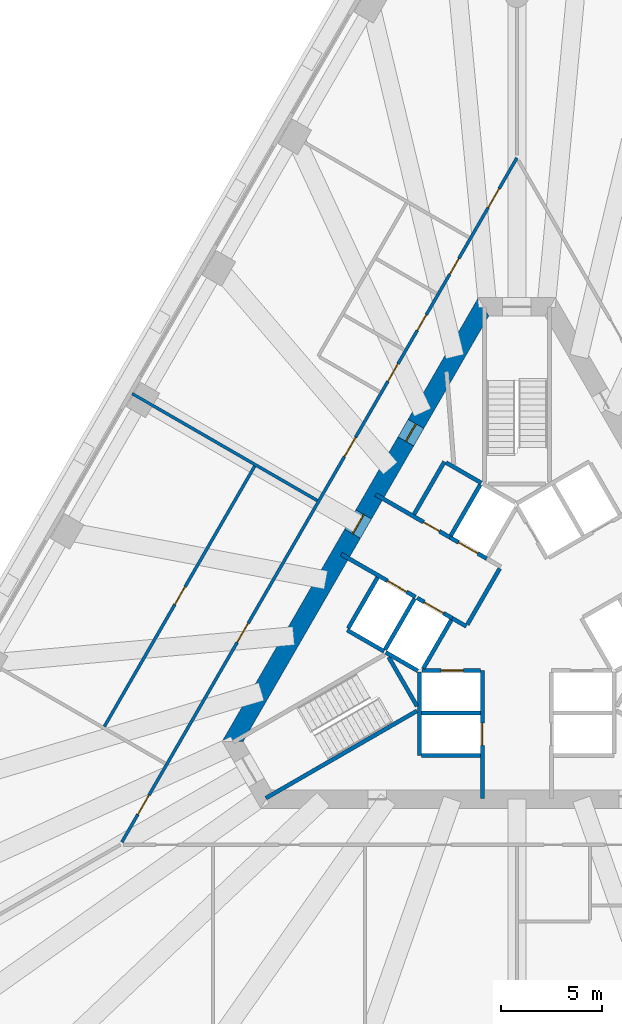
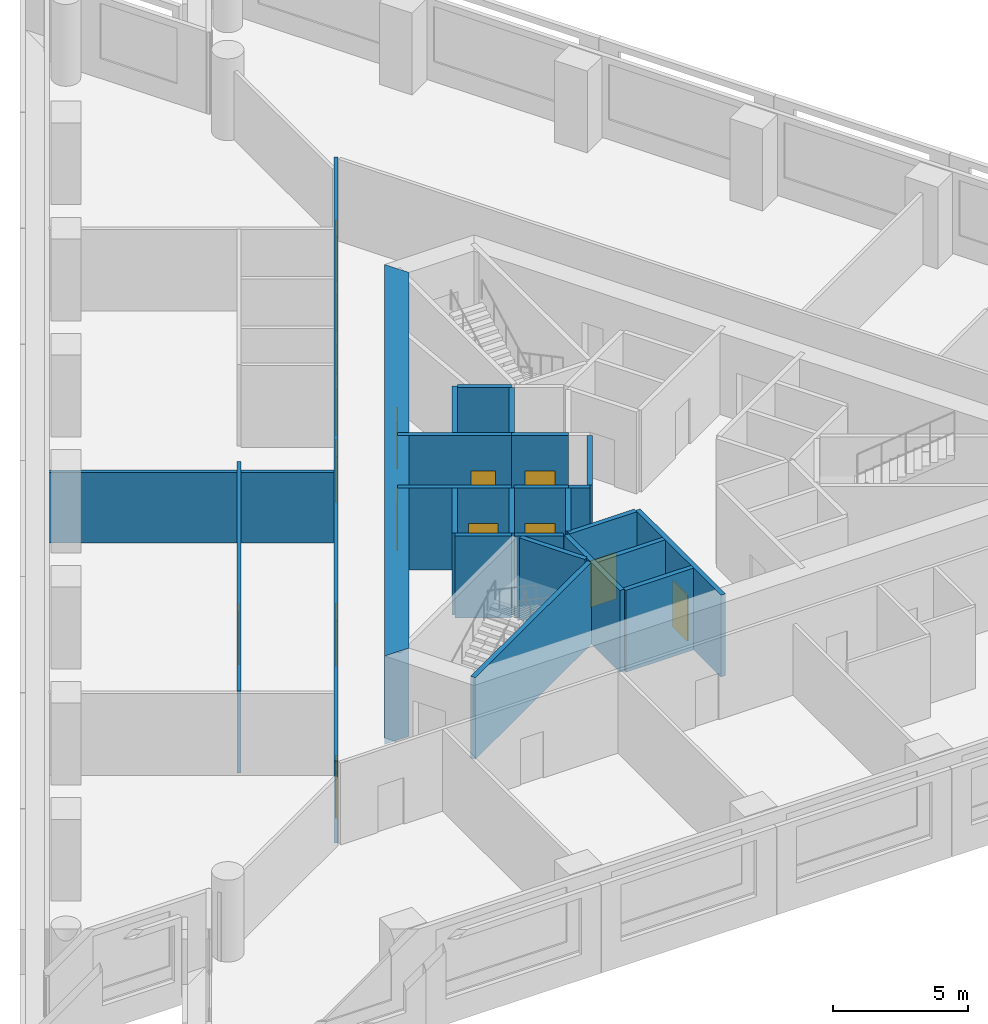
# One storey, part 3 of 9: 25 walls, 16 doors, 16 openings.
"""IFC4 building model written with IfcOpenShell, lengths in metres."""

from ifc_helpers import new_model, si_unit, direction, frame, frame_2d, origin, place, context, subcontext, project, spatial, polyline, rectangle, outline, extrude, material, layer, layer_set, type_object, element, fill, save


model = new_model("IFC4")

# Units and contexts
model_context = context("Model", 3, precision=1e-05, world=origin(), true_north=direction((0.0, 1.0)))
body_context = subcontext(model_context, "Body", "Model", "MODEL_VIEW")
ifc_project = project(units=[si_unit("LENGTHUNIT", "METRE"), si_unit("AREAUNIT", "SQUARE_METRE"), si_unit("VOLUMEUNIT", "CUBIC_METRE"), si_unit("PLANEANGLEUNIT", "RADIAN"), si_unit("MASSUNIT", "GRAM", prefix="KILO")], contexts=[model_context])

# Site, building, storey
site_placement = place(None, origin())
site = spatial("IfcSite", under=ifc_project, at=site_placement, CompositionType="ELEMENT")
building_placement = place(site_placement, origin())
building = spatial("IfcBuilding", under=site, at=building_placement, Name="Triada Interchange Tower", CompositionType="ELEMENT")
storey_placement = place(building_placement, frame((0.0, 0.0, 47.300048828125)))
storey = spatial("IfcBuildingStorey", under=building, at=storey_placement, Name="L09", CompositionType="ELEMENT", Elevation=47.300048828125)

# Walls
ifc_material_1 = material(Name="Concrete C30/37", Category="concrete")
ifc_layer_1 = layer(ifc_material_1, 0.199951171875)
ifc_layer_set_1 = layer_set([ifc_layer_1], Name="CORE WALL 200 EI 120")
wall_type_1 = type_object("IfcWallType", Name="CORE WALL 200 EI 120", PredefinedType="SOLIDWALL", material=ifc_layer_set_1)
wall_1_placement = place(storey_placement, frame((-8.3759765625, -0.70703125, 0.0), z_axis=(0.0, 0.0, 1.0), x_axis=(0.866067520717, -0.499927044236, 0.0)))
element("IfcWall", 1, at=wall_1_placement, inside=storey, type_object=wall_type_1, Name="Wall L09 37", PredefinedType="SOLIDWALL", context=body_context, shape_type="SweptSolid", body=[
    extrude(rectangle(XDim=2.100341796875, YDim=0.199951171875, at=frame_2d((1.05029296875, 0.0))), origin(), (0.0, 0.0, 1.0), 3.699951171875),
])
wall_2_placement = place(storey_placement, frame((-8.325927734375, -0.6201171875, 0.0), z_axis=(0.0, 0.0, 1.0), x_axis=(0.500023687443, 0.866011727401, 0.0)))
element("IfcWall", 2, at=wall_2_placement, inside=storey, type_object=wall_type_1, Name="Wall L09 38", PredefinedType="SOLIDWALL", context=body_context, shape_type="SweptSolid", body=[
    extrude(rectangle(XDim=2.899658203125, YDim=0.199951171875, at=frame_2d((1.44970703125, 0.0))), origin(), (0.0, 0.0, 1.0), 3.699951171875),
])
wall_3_placement = place(storey_placement, frame((-4.699951171875, -4.800048828125, 0.0), z_axis=(0.0, 0.0, 1.0), x_axis=(1.0, 0.0, 0.0)))
element("IfcWall", 3, at=wall_3_placement, inside=storey, type_object=wall_type_1, Name="Wall L09 39", PredefinedType="SOLIDWALL", context=body_context, shape_type="SweptSolid", body=[
    extrude(rectangle(XDim=2.89990234375, YDim=0.199951171875, at=frame_2d((1.449951171875, 0.0))), origin(), (0.0, 0.0, 1.0), 3.699951171875),
])
wall_4_placement = place(storey_placement, frame((-4.800048828125, -6.89990234375, 0.0), z_axis=(0.0, 0.0, 1.0), x_axis=(0.0, 1.0, 0.0)))
element("IfcWall", 4, at=wall_4_placement, inside=storey, type_object=wall_type_1, Name="Wall L09 41", PredefinedType="SOLIDWALL", context=body_context, shape_type="SweptSolid", body=[
    extrude(rectangle(XDim=4.130859375, YDim=0.199951171875, at=frame_2d((2.0654296875, 0.0))), origin(), (0.0, 0.0, 1.0), 3.699951171875),
])
wall_5_placement = place(storey_placement, frame((-4.699951171875, -6.89990234375, 0.0), z_axis=(0.0, 0.0, 1.0), x_axis=(1.0, 0.0, 0.0)))
element("IfcWall", 5, at=wall_5_placement, inside=storey, type_object=wall_type_1, Name="Wall L09 42", PredefinedType="SOLIDWALL", context=body_context, shape_type="SweptSolid", body=[
    extrude(rectangle(XDim=2.89990234375, YDim=0.199951171875, at=frame_2d((1.449951171875, 0.0))), origin(), (0.0, 0.0, 1.0), 3.699951171875),
])

# Wall, opening, door
wall_6_placement = place(storey_placement, frame((-1.699951171875, -9.030029296875, 0.0), z_axis=(0.0, 0.0, 1.0), x_axis=(0.0, 1.0, 0.0)))
wall_6 = element("IfcWall", 6, at=wall_6_placement, inside=storey, type_object=wall_type_1, Name="Wall L09 44", PredefinedType="SOLIDWALL", context=body_context, shape_type="SweptSolid", body=[
    extrude(rectangle(XDim=6.3271484375, YDim=0.199951171875, at=frame_2d((3.16357421875, 0.0))), origin(), (0.0, 0.0, 1.0), 3.699951171875),
])
opening_1_placement = place(wall_6_placement, frame((2.6298828125, 0.0, 0.0)))
opening_1 = element("IfcOpeningElement", 7, at=opening_1_placement, cuts=wall_6, Name="Opening LD-LR4", PredefinedType="OPENING", context=body_context, shape_type="SweptSolid", body=[
    extrude(rectangle(XDim=1.10009765625, YDim=2.10009765625, at=frame_2d((0.550048828125, 1.050048828125))), frame((0.0, 0.10986328125, 0.0), z_axis=(0.0, -1.0, 0.0), x_axis=(1.0, 0.0, 0.0)), (0.0, 0.0, 1.0), 0.219970703125),
])
ifc_material_2 = material(Name="Steel S235 door leaf", Category="steel")
door_type_1 = type_object("IfcDoorType", Name="LIFT LANDING DOOR 1100 EI 120", OperationType="SLIDING_TO_LEFT", PredefinedType="DOOR", material=ifc_material_2)
door_1_placement = place(opening_1_placement, origin())
door_1 = element("IfcDoor", 8, at=door_1_placement, inside=storey, type_object=door_type_1, Name="LR4 landing door L09", OperationType="SLIDING_TO_LEFT", OverallHeight=2.10009765625, OverallWidth=1.10009765625, PredefinedType="DOOR", context=body_context, shape_type="SweptSolid", body=[
    extrude(rectangle(XDim=1.10009765625, YDim=2.10009765625, at=frame_2d((0.550048828125, 1.050048828125))), frame((0.0, 0.02490234375, 0.0), z_axis=(0.0, -1.0, 0.0), x_axis=(1.0, 0.0, 0.0)), (0.0, 0.0, 1.0), 0.050048828125),
])
fill(opening_1, door_1)

wall_7_placement = place(storey_placement, frame((-4.676025390625, -2.699951171875, 0.0), z_axis=(0.0, 0.0, 1.0), x_axis=(1.0, 0.0, 0.0)))
wall_7 = element("IfcWall", 9, at=wall_7_placement, inside=storey, type_object=wall_type_1, Name="Wall L09 45", PredefinedType="SOLIDWALL", context=body_context, shape_type="SweptSolid", body=[
    extrude(rectangle(XDim=2.873046875, YDim=0.199951171875, at=frame_2d((1.4365234375, 0.0))), origin(), (0.0, 0.0, 1.0), 3.699951171875),
])
opening_2_placement = place(wall_7_placement, frame((0.93701171875, 0.0, 0.0)))
opening_2 = element("IfcOpeningElement", 10, at=opening_2_placement, cuts=wall_7, Name="Opening LD-LR3", PredefinedType="OPENING", context=body_context, shape_type="SweptSolid", body=[
    extrude(rectangle(XDim=1.10009765625, YDim=2.10009765625, at=frame_2d((0.550048828125, 1.050048828125))), frame((0.0, 0.10986328125, 0.0), z_axis=(0.0, -1.0, 0.0), x_axis=(1.0, 0.0, 0.0)), (0.0, 0.0, 1.0), 0.219970703125),
])
door_2_placement = place(opening_2_placement, origin())
door_2 = element("IfcDoor", 11, at=door_2_placement, inside=storey, type_object=door_type_1, Name="LR3 landing door L09", OperationType="SLIDING_TO_LEFT", OverallHeight=2.10009765625, OverallWidth=1.10009765625, PredefinedType="DOOR", context=body_context, shape_type="SweptSolid", body=[
    extrude(rectangle(XDim=1.10009765625, YDim=2.10009765625, at=frame_2d((0.550048828125, 1.050048828125))), frame((0.0, 0.02490234375, 0.0), z_axis=(0.0, -1.0, 0.0), x_axis=(1.0, 0.0, 0.0)), (0.0, 0.0, 1.0), 0.050048828125),
])
fill(opening_2, door_2)

ifc_layer_2 = layer(ifc_material_1, 0.199951171875)
ifc_layer_set_2 = layer_set([ifc_layer_2], Name="CORE WALL 200 EI 180")
wall_type_2 = type_object("IfcWallType", Name="CORE WALL 200 EI 180", PredefinedType="SOLIDWALL", material=ifc_layer_set_2)
wall_8_placement = place(storey_placement, frame((-8.669921875, 3.04296875, 0.0), z_axis=(0.0, 0.0, 1.0), x_axis=(0.866029956157, -0.499992114976, 0.0)))
wall_8 = element("IfcWall", 12, at=wall_8_placement, inside=storey, type_object=wall_type_2, Name="Wall L09 59", PredefinedType="SOLIDWALL", context=body_context, shape_type="SweptSolid", body=[
    extrude(rectangle(XDim=4.23193359375, YDim=0.199951171875, at=frame_2d((2.115966796875, 0.0))), origin(), (0.0, 0.0, 1.0), 3.699951171875),
])
opening_3_placement = place(wall_8_placement, frame((2.6298828125, 0.0, 0.0)))
opening_3 = element("IfcOpeningElement", 13, at=opening_3_placement, cuts=wall_8, Name="Opening LD-SV1", PredefinedType="OPENING", context=body_context, shape_type="SweptSolid", body=[
    extrude(rectangle(XDim=1.10009765625, YDim=2.10009765625, at=frame_2d((0.550048828125, 1.050048828125))), frame((0.0, 0.10986328125, 0.0), z_axis=(0.0, -1.0, 0.0), x_axis=(1.0, 0.0, 0.0)), (0.0, 0.0, 1.0), 0.219970703125),
])
door_3_placement = place(opening_3_placement, origin())
door_3 = element("IfcDoor", 14, at=door_3_placement, inside=storey, type_object=door_type_1, Name="SV1 landing door L09", OperationType="SLIDING_TO_LEFT", OverallHeight=2.10009765625, OverallWidth=1.10009765625, PredefinedType="DOOR", context=body_context, shape_type="SweptSolid", body=[
    extrude(rectangle(XDim=1.10009765625, YDim=2.10009765625, at=frame_2d((0.550048828125, 1.050048828125))), frame((0.0, 0.02490234375, 0.0), z_axis=(0.0, -1.0, 0.0), x_axis=(1.0, 0.0, 0.0)), (0.0, 0.0, 1.0), 0.050048828125),
])
fill(opening_3, door_3)

# Wall
wall_9_placement = place(storey_placement, frame((-3.18798828125, -0.1220703125, 0.0), z_axis=(0.0, 0.0, 1.0), x_axis=(0.865705793592, -0.50055317294, 0.0)))
element("IfcWall", 15, at=wall_9_placement, inside=storey, type_object=wall_type_2, Name="Wall L09 60", PredefinedType="SOLIDWALL", context=body_context, shape_type="SweptSolid", body=[
    extrude(rectangle(XDim=0.796875, YDim=0.199951171875, at=frame_2d((0.3984375, 0.0))), origin(), (0.0, 0.0, 1.0), 3.699951171875),
])

# Wall, opening, door
wall_10_placement = place(storey_placement, frame((-6.969970703125, 5.987060546875, 0.0), z_axis=(0.0, 0.0, 1.0), x_axis=(0.866029956157, -0.499992114976, 0.0)))
wall_10 = element("IfcWall", 16, at=wall_10_placement, inside=storey, type_object=wall_type_2, Name="Wall L09 61", PredefinedType="SOLIDWALL", context=body_context, shape_type="SweptSolid", body=[
    extrude(rectangle(XDim=4.23193359375, YDim=0.199951171875, at=frame_2d((2.115966796875, 0.0))), origin(), (0.0, 0.0, 1.0), 3.699951171875),
])
opening_4_placement = place(wall_10_placement, frame((2.72998046875, 0.0, 0.0)))
opening_4 = element("IfcOpeningElement", 17, at=opening_4_placement, cuts=wall_10, Name="Opening D09-10", PredefinedType="OPENING", context=body_context, shape_type="SweptSolid", body=[
    extrude(rectangle(XDim=0.89990234375, YDim=2.10009765625, at=frame_2d((0.449951171875, 1.050048828125))), frame((0.0, 0.10986328125, 0.0), z_axis=(0.0, -1.0, 0.0), x_axis=(1.0, 0.0, 0.0)), (0.0, 0.0, 1.0), 0.219970703125),
])
door_type_2 = type_object("IfcDoorType", Name="SERVICE DOOR 900 EI2 90-C5S200", OperationType="NOTDEFINED", PredefinedType="DOOR", material=ifc_material_2)
door_4_placement = place(opening_4_placement, origin())
door_4 = element("IfcDoor", 18, at=door_4_placement, inside=storey, type_object=door_type_2, Name="Door D09-10 L09", OperationType="SINGLE_SWING_LEFT", OverallHeight=2.10009765625, OverallWidth=0.89990234375, PredefinedType="DOOR", context=body_context, shape_type="SweptSolid", body=[
    extrude(rectangle(XDim=0.89990234375, YDim=2.10009765625, at=frame_2d((0.449951171875, 1.050048828125))), frame((0.0, 0.02490234375, 0.0), z_axis=(0.0, -1.0, 0.0), x_axis=(1.0, 0.0, 0.0)), (0.0, 0.0, 1.0), 0.050048828125),
])
fill(opening_4, door_4)

# Walls
wall_11_placement = place(storey_placement, frame((-5.075927734375, 5.009033203125, 0.0), z_axis=(0.0, 0.0, 1.0), x_axis=(0.50002537861, 0.866010750942, 0.0)))
element("IfcWall", 19, at=wall_11_placement, inside=storey, type_object=wall_type_2, Name="Wall L09 63", PredefinedType="SOLIDWALL", context=body_context, shape_type="SweptSolid", body=[
    extrude(rectangle(XDim=2.999755859375, YDim=0.199951171875, at=frame_2d((1.5, 0.0))), origin(), (0.0, 0.0, 1.0), 3.699951171875),
])
wall_12_placement = place(storey_placement, frame((-3.489013671875, 7.556884765625, 0.0), z_axis=(0.0, 0.0, 1.0), x_axis=(0.866010750942, -0.50002537861, 0.0)))
element("IfcWall", 20, at=wall_12_placement, inside=storey, type_object=wall_type_2, Name="Wall L09 64", PredefinedType="SOLIDWALL", context=body_context, shape_type="SweptSolid", body=[
    extrude(rectangle(XDim=2.0, YDim=0.199951171875, at=frame_2d((1.0, 0.0))), origin(), (0.0, 0.0, 1.0), 3.699951171875),
])
wall_13_placement = place(storey_placement, frame((-2.444091796875, -0.43310546875, 0.0), z_axis=(0.0, 0.0, 1.0), x_axis=(0.500035624827, 0.866004834804, 0.0)))
element("IfcWall", 21, at=wall_13_placement, inside=storey, type_object=wall_type_2, Name="Wall L09 65", PredefinedType="SOLIDWALL", context=body_context, shape_type="SweptSolid", body=[
    extrude(rectangle(XDim=3.194091796875, YDim=0.199951171875, at=frame_2d((1.59716796875, 0.0))), origin(), (0.0, 0.0, 1.0), 3.699951171875),
])
wall_14_placement = place(storey_placement, frame((-6.507080078125, -1.669921875, 0.0), z_axis=(0.0, 0.0, 1.0), x_axis=(0.50012328804, 0.865954211699, 0.0)))
element("IfcWall", 22, at=wall_14_placement, inside=storey, type_object=wall_type_2, Name="Shaft wall FF1 L09 66", PredefinedType="SOLIDWALL", context=body_context, shape_type="SweptSolid", body=[
    extrude(rectangle(XDim=2.899658203125, YDim=0.199951171875, at=frame_2d((1.44970703125, 0.0))), origin(), (0.0, 0.0, 1.0), 3.699951171875),
])
wall_15_placement = place(storey_placement, frame((-6.469970703125, -1.806884765625, 0.0), z_axis=(0.0, 0.0, 1.0), x_axis=(0.865883195159, -0.500246231712, 0.0)))
element("IfcWall", 23, at=wall_15_placement, inside=storey, type_object=wall_type_2, Name="Shaft wall FF1 L09 67", PredefinedType="SOLIDWALL", context=body_context, shape_type="SweptSolid", body=[
    extrude(rectangle(XDim=1.8154296875, YDim=0.199951171875, at=frame_2d((0.90771484375, 0.0))), origin(), (0.0, 0.0, 1.0), 3.699951171875),
])

# Wall, opening, door
wall_16_placement = place(storey_placement, frame((-4.922119140625, 0.87890625, 0.0), z_axis=(0.0, 0.0, 1.0), x_axis=(0.866073918653, -0.499915960366, 0.0)))
wall_16 = element("IfcWall", 24, at=wall_16_placement, inside=storey, type_object=wall_type_2, Name="Shaft wall FF1 L09 68", PredefinedType="SOLIDWALL", context=body_context, shape_type="SweptSolid", body=[
    extrude(rectangle(XDim=2.002197265625, YDim=0.199951171875, at=frame_2d((1.0009765625, 0.0))), origin(), (0.0, 0.0, 1.0), 3.699951171875),
])
opening_5_placement = place(wall_16_placement, frame((0.402099609375, 0.0, 0.0)))
opening_5 = element("IfcOpeningElement", 25, at=opening_5_placement, cuts=wall_16, Name="Opening LD-FF1", PredefinedType="OPENING", context=body_context, shape_type="SweptSolid", body=[
    extrude(rectangle(XDim=1.10009765625, YDim=2.10009765625, at=frame_2d((0.550048828125, 1.050048828125))), frame((0.0, 0.10986328125, 0.0), z_axis=(0.0, -1.0, 0.0), x_axis=(1.0, 0.0, 0.0)), (0.0, 0.0, 1.0), 0.219970703125),
])
door_5_placement = place(opening_5_placement, origin())
door_5 = element("IfcDoor", 26, at=door_5_placement, inside=storey, type_object=door_type_1, Name="FF1 landing door L09", OperationType="SLIDING_TO_LEFT", OverallHeight=2.10009765625, OverallWidth=1.10009765625, PredefinedType="DOOR", context=body_context, shape_type="SweptSolid", body=[
    extrude(rectangle(XDim=1.10009765625, YDim=2.10009765625, at=frame_2d((0.550048828125, 1.050048828125))), frame((0.0, 0.02490234375, 0.0), z_axis=(0.0, -1.0, 0.0), x_axis=(1.0, 0.0, 0.0)), (0.0, 0.0, 1.0), 0.050048828125),
])
fill(opening_5, door_5)

# Wall
wall_17_placement = place(storey_placement, frame((-4.618896484375, -2.60009765625, 0.0), z_axis=(0.0, 0.0, 1.0), x_axis=(0.50009492287, 0.865970593103, 0.0)))
element("IfcWall", 27, at=wall_17_placement, inside=storey, type_object=wall_type_2, Name="Shaft wall FF1 L09 69", PredefinedType="SOLIDWALL", context=body_context, shape_type="SweptSolid", body=[
    extrude(rectangle(XDim=2.76123046875, YDim=0.199951171875, at=frame_2d((1.380615234375, 0.0))), origin(), (0.0, 0.0, 1.0), 3.699951171875),
])

# Wall, opening, door
wall_18_placement = place(storey_placement, frame((-3.30908203125, 3.873046875, 0.0), z_axis=(0.0, 0.0, 1.0), x_axis=(0.866098583652, -0.499873227325, 0.0)))
wall_18 = element("IfcWall", 28, at=wall_18_placement, inside=storey, type_object=wall_type_2, Name="Shaft wall FF2 L09 70", PredefinedType="SOLIDWALL", context=body_context, shape_type="SweptSolid", body=[
    extrude(rectangle(XDim=2.1025390625, YDim=0.199951171875, at=frame_2d((1.05126953125, 0.0))), origin(), (0.0, 0.0, 1.0), 3.699951171875),
])
opening_6_placement = place(wall_18_placement, frame((0.501953125, 0.0, 0.0)))
opening_6 = element("IfcOpeningElement", 29, at=opening_6_placement, cuts=wall_18, Name="Opening LD-FF2", PredefinedType="OPENING", context=body_context, shape_type="SweptSolid", body=[
    extrude(rectangle(XDim=1.10009765625, YDim=2.10009765625, at=frame_2d((0.550048828125, 1.050048828125))), frame((0.0, 0.10986328125, 0.0), z_axis=(0.0, -1.0, 0.0), x_axis=(1.0, 0.0, 0.0)), (0.0, 0.0, 1.0), 0.219970703125),
])
door_6_placement = place(opening_6_placement, origin())
door_6 = element("IfcDoor", 30, at=door_6_placement, inside=storey, type_object=door_type_1, Name="FF2 landing door L09", OperationType="SLIDING_TO_LEFT", OverallHeight=2.10009765625, OverallWidth=1.10009765625, PredefinedType="DOOR", context=body_context, shape_type="SweptSolid", body=[
    extrude(rectangle(XDim=1.10009765625, YDim=2.10009765625, at=frame_2d((0.550048828125, 1.050048828125))), frame((0.0, 0.02490234375, 0.0), z_axis=(0.0, -1.0, 0.0), x_axis=(1.0, 0.0, 0.0)), (0.0, 0.0, 1.0), 0.050048828125),
])
fill(opening_6, door_6)

# Walls
wall_19_placement = place(storey_placement, frame((-3.257080078125, 3.958984375, 0.0), z_axis=(0.0, 0.0, 1.0), x_axis=(0.50012328804, 0.865954211699, 0.0)))
element("IfcWall", 31, at=wall_19_placement, inside=storey, type_object=wall_type_2, Name="Shaft wall FF2 L09 71", PredefinedType="SOLIDWALL", context=body_context, shape_type="SweptSolid", body=[
    extrude(rectangle(XDim=2.899658203125, YDim=0.199951171875, at=frame_2d((1.44970703125, 0.0))), origin(), (0.0, 0.0, 1.0), 3.699951171875),
])
ifc_layer_3 = layer(ifc_material_1, 0.199951171875)
ifc_layer_set_3 = layer_set([ifc_layer_3], Name="CORE WALL 200 REI 240")
wall_type_3 = type_object("IfcWallType", Name="CORE WALL 200 REI 240", PredefinedType="SOLIDWALL", material=ifc_layer_set_3)
wall_20_placement = place(storey_placement, frame((-6.3291015625, -2.0380859375, 0.0), z_axis=(0.0, 0.0, 1.0), x_axis=(0.500200581029, -0.865909567298, 0.0)))
element("IfcWall", 32, at=wall_20_placement, inside=storey, type_object=wall_type_3, Name="Wall L09 76", PredefinedType="SOLIDWALL", context=body_context, shape_type="SweptSolid", body=[
    extrude(rectangle(XDim=2.799072265625, YDim=0.199951171875, at=frame_2d((1.3994140625, 0.0))), origin(), (0.0, 0.0, 1.0), 3.699951171875),
])
wall_21_placement = place(storey_placement, frame((-12.389892578125, -9.0009765625, 0.0), z_axis=(0.0, 0.0, 1.0), x_axis=(0.866010975815, 0.500024989144, 0.0)))
element("IfcWall", 33, at=wall_21_placement, inside=storey, type_object=wall_type_3, Name="Wall L09 77", PredefinedType="SOLIDWALL", context=body_context, shape_type="SweptSolid", body=[
    extrude(rectangle(XDim=8.615234375, YDim=0.199951171875, at=frame_2d((4.3076171875, 0.0))), origin(), (0.0, 0.0, 1.0), 3.699951171875),
])

# Wall, openings, doors
ifc_material_3 = material(Name="Concrete C70/85", Category="concrete")
ifc_layer_4 = layer(ifc_material_3, 0.89990234375)
ifc_layer_set_4 = layer_set([ifc_layer_4], Name="Core wall A 900")
wall_type_4 = type_object("IfcWallType", Name="Core wall A 900", PredefinedType="SHEAR", material=ifc_layer_set_4)
wall_22_placement = place(storey_placement, frame((-1.64501953125, 15.25, -0.300048828125), z_axis=(0.0, 0.0, 1.0), x_axis=(-0.500026485275, -0.866010111964, 0.0)))
wall_22 = element("IfcWall", 34, at=wall_22_placement, inside=storey, type_object=wall_type_4, Name="Core wall WA02 L09", PredefinedType="SHEAR", context=body_context, shape_type="SweptSolid", body=[
    extrude(outline(polyline([(-0.260009765625, -0.449951171875), (1.685302734375, -0.449951171875), (3.63037109375, -0.44970703125), (5.57568359375, -0.44970703125), (7.52099609375, -0.44970703125), (9.466064453125, -0.449462890625), (11.411376953125, -0.449462890625), (13.356689453125, -0.449462890625), (15.302001953125, -0.449462890625), (17.2470703125, -0.44921875), (19.1923828125, -0.44921875), (21.1376953125, -0.44921875), (23.082763671875, -0.448974609375), (25.028076171875, -0.448974609375), (24.509033203125, 0.449951171875), (22.643798828125, 0.449951171875), (20.7783203125, 0.44970703125), (18.9130859375, 0.44970703125), (17.0478515625, 0.44970703125), (15.182373046875, 0.449462890625), (13.317138671875, 0.449462890625), (11.451904296875, 0.449462890625), (9.586669921875, 0.449462890625), (7.72119140625, 0.44921875), (5.85595703125, 0.44921875), (3.99072265625, 0.44921875), (2.125244140625, 0.448974609375), (0.260009765625, 0.448974609375), (-0.260009765625, -0.449951171875)])), origin(), (0.0, 0.0, 1.0), 4.0),
])
opening_7_placement = place(wall_22_placement, frame((11.833984375, 0.0, 0.300048828125)))
opening_7 = element("IfcOpeningElement", 35, at=opening_7_placement, cuts=wall_22, Name="Opening D09-39", PredefinedType="OPENING", context=body_context, shape_type="SweptSolid", body=[
    extrude(rectangle(XDim=1.10009765625, YDim=2.10009765625, at=frame_2d((0.550048828125, 1.050048828125))), frame((0.0, 0.4599609375, 0.0), z_axis=(0.0, -1.0, 0.0), x_axis=(1.0, 0.0, 0.0)), (0.0, 0.0, 1.0), 0.919921875),
])
opening_8_placement = place(wall_22_placement, frame((6.6708984375, 0.0, 0.300048828125)))
opening_8 = element("IfcOpeningElement", 36, at=opening_8_placement, cuts=wall_22, Name="Opening D09-42", PredefinedType="OPENING", context=body_context, shape_type="SweptSolid", body=[
    extrude(rectangle(XDim=1.0, YDim=2.10009765625, at=frame_2d((0.5, 1.050048828125))), frame((0.0, 0.4599609375, 0.0), z_axis=(0.0, -1.0, 0.0), x_axis=(1.0, 0.0, 0.0)), (0.0, 0.0, 1.0), 0.919921875),
])
door_type_3 = type_object("IfcDoorType", Name="FIRE LOBBY DOOR 1100 EI2 90-C5S200", OperationType="NOTDEFINED", PredefinedType="DOOR", material=ifc_material_2)
door_7_placement = place(opening_7_placement, origin())
door_7 = element("IfcDoor", 37, at=door_7_placement, inside=storey, type_object=door_type_3, Name="Door D09-39 L09", OperationType="SINGLE_SWING_LEFT", OverallHeight=2.10009765625, OverallWidth=1.10009765625, PredefinedType="DOOR", context=body_context, shape_type="SweptSolid", body=[
    extrude(rectangle(XDim=1.10009765625, YDim=2.10009765625, at=frame_2d((0.550048828125, 1.050048828125))), frame((0.0, 0.02490234375, 0.0), z_axis=(0.0, -1.0, 0.0), x_axis=(1.0, 0.0, 0.0)), (0.0, 0.0, 1.0), 0.050048828125),
])
fill(opening_7, door_7)
door_type_4 = type_object("IfcDoorType", Name="SERVICE DOOR 1000 EI2 45-C5S200", OperationType="NOTDEFINED", PredefinedType="DOOR", material=ifc_material_2)
door_8_placement = place(opening_8_placement, origin())
door_8 = element("IfcDoor", 38, at=door_8_placement, inside=storey, type_object=door_type_4, Name="Door D09-42 L09", OperationType="SINGLE_SWING_LEFT", OverallHeight=2.10009765625, OverallWidth=1.0, PredefinedType="DOOR", context=body_context, shape_type="SweptSolid", body=[
    extrude(rectangle(XDim=1.0, YDim=2.10009765625, at=frame_2d((0.5, 1.050048828125))), frame((0.0, 0.02490234375, 0.0), z_axis=(0.0, -1.0, 0.0), x_axis=(1.0, 0.0, 0.0)), (0.0, 0.0, 1.0), 0.050048828125),
])
fill(opening_8, door_8)

ifc_material_4 = material(Name="Gypsum board partition")
ifc_layer_5 = layer(ifc_material_4, 0.14990234375)
ifc_layer_set_5 = layer_set([ifc_layer_5], Name="PARTITION 150 EI 180")
wall_type_5 = type_object("IfcWallType", Name="PARTITION 150 EI 180", PredefinedType="PARTITIONING", material=ifc_layer_set_5)
wall_23_placement = place(storey_placement, frame((-19.4970703125, -11.169921875, 0.0), z_axis=(0.0, 0.0, 1.0), x_axis=(0.499998854553, 0.866026065108, 0.0)))
wall_23 = element("IfcWall", 39, at=wall_23_placement, inside=storey, type_object=wall_type_5, Name="Wall L09 4", PredefinedType="PARTITIONING", context=body_context, shape_type="SweptSolid", body=[
    extrude(rectangle(XDim=38.994140625, YDim=0.14990234375, at=frame_2d((19.4970703125, 0.0))), origin(), (0.0, 0.0, 1.0), 3.699951171875),
])
opening_9_placement = place(wall_23_placement, frame((36.14404296875, 0.0, 0.0)))
opening_9 = element("IfcOpeningElement", 40, at=opening_9_placement, cuts=wall_23, Name="Opening D09-27", PredefinedType="OPENING", context=body_context, shape_type="SweptSolid", body=[
    extrude(rectangle(XDim=1.10009765625, YDim=2.10009765625, at=frame_2d((0.550048828125, 1.050048828125))), frame((0.0, 0.0849609375, 0.0), z_axis=(0.0, -1.0, 0.0), x_axis=(1.0, 0.0, 0.0)), (0.0, 0.0, 1.0), 0.169921875),
])
opening_10_placement = place(wall_23_placement, frame((21.962890625, 0.0, 0.0)))
opening_10 = element("IfcOpeningElement", 41, at=opening_10_placement, cuts=wall_23, Name="Opening D09-28", PredefinedType="OPENING", context=body_context, shape_type="SweptSolid", body=[
    extrude(rectangle(XDim=1.10009765625, YDim=2.10009765625, at=frame_2d((0.550048828125, 1.050048828125))), frame((0.0, 0.0849609375, 0.0), z_axis=(0.0, -1.0, 0.0), x_axis=(1.0, 0.0, 0.0)), (0.0, 0.0, 1.0), 0.169921875),
])
opening_11_placement = place(wall_23_placement, frame((32.363037109375, 0.0, 0.0)))
opening_11 = element("IfcOpeningElement", 42, at=opening_11_placement, cuts=wall_23, Name="Opening D09-29", PredefinedType="OPENING", context=body_context, shape_type="SweptSolid", body=[
    extrude(rectangle(XDim=0.89990234375, YDim=2.10009765625, at=frame_2d((0.449951171875, 1.050048828125))), frame((0.0, 0.0849609375, 0.0), z_axis=(0.0, -1.0, 0.0), x_axis=(1.0, 0.0, 0.0)), (0.0, 0.0, 1.0), 0.169921875),
])
opening_12_placement = place(wall_23_placement, frame((29.1630859375, 0.0, 0.0)))
opening_12 = element("IfcOpeningElement", 43, at=opening_12_placement, cuts=wall_23, Name="Opening D09-30", PredefinedType="OPENING", context=body_context, shape_type="SweptSolid", body=[
    extrude(rectangle(XDim=0.89990234375, YDim=2.10009765625, at=frame_2d((0.449951171875, 1.050048828125))), frame((0.0, 0.0849609375, 0.0), z_axis=(0.0, -1.0, 0.0), x_axis=(1.0, 0.0, 0.0)), (0.0, 0.0, 1.0), 0.169921875),
])
opening_13_placement = place(wall_23_placement, frame((26.262939453125, 0.0, 0.0)))
opening_13 = element("IfcOpeningElement", 44, at=opening_13_placement, cuts=wall_23, Name="Opening D09-31", PredefinedType="OPENING", context=body_context, shape_type="SweptSolid", body=[
    extrude(rectangle(XDim=1.0, YDim=2.10009765625, at=frame_2d((0.5, 1.050048828125))), frame((0.0, 0.0849609375, 0.0), z_axis=(0.0, -1.0, 0.0), x_axis=(1.0, 0.0, 0.0)), (0.0, 0.0, 1.0), 0.169921875),
])
opening_14_placement = place(wall_23_placement, frame((11.373046875, 0.0, 0.0)))
opening_14 = element("IfcOpeningElement", 45, at=opening_14_placement, cuts=wall_23, Name="Opening D09-32", PredefinedType="OPENING", context=body_context, shape_type="SweptSolid", body=[
    extrude(rectangle(XDim=1.10009765625, YDim=2.10009765625, at=frame_2d((0.550048828125, 1.050048828125))), frame((0.0, 0.0849609375, 0.0), z_axis=(0.0, -1.0, 0.0), x_axis=(1.0, 0.0, 0.0)), (0.0, 0.0, 1.0), 0.169921875),
])
opening_15_placement = place(wall_23_placement, frame((1.5810546875, 0.0, 0.0)))
opening_15 = element("IfcOpeningElement", 46, at=opening_15_placement, cuts=wall_23, Name="Opening D09-34", PredefinedType="OPENING", context=body_context, shape_type="SweptSolid", body=[
    extrude(rectangle(XDim=1.10009765625, YDim=2.10009765625, at=frame_2d((0.550048828125, 1.050048828125))), frame((0.0, 0.0849609375, 0.0), z_axis=(0.0, -1.0, 0.0), x_axis=(1.0, 0.0, 0.0)), (0.0, 0.0, 1.0), 0.169921875),
])
door_type_5 = type_object("IfcDoorType", Name="ROOM DOOR 1000 EI2 90-C5S200", OperationType="NOTDEFINED", PredefinedType="DOOR", material=ifc_material_2)
door_9_placement = place(opening_13_placement, origin())
door_9 = element("IfcDoor", 47, at=door_9_placement, inside=storey, type_object=door_type_5, Name="Door D09-31 L09", OperationType="SINGLE_SWING_RIGHT", OverallHeight=2.10009765625, OverallWidth=1.0, PredefinedType="DOOR", context=body_context, shape_type="SweptSolid", body=[
    extrude(rectangle(XDim=1.0, YDim=2.10009765625, at=frame_2d((0.5, 1.050048828125))), frame((0.0, 0.02490234375, 0.0), z_axis=(0.0, -1.0, 0.0), x_axis=(1.0, 0.0, 0.0)), (0.0, 0.0, 1.0), 0.050048828125),
])
fill(opening_13, door_9)
door_type_6 = type_object("IfcDoorType", Name="ROOM DOOR 900 EI2 90-C5S200", OperationType="NOTDEFINED", PredefinedType="DOOR", material=ifc_material_2)
door_10_placement = place(opening_11_placement, origin())
door_10 = element("IfcDoor", 48, at=door_10_placement, inside=storey, type_object=door_type_6, Name="Door D09-29 L09", OperationType="SINGLE_SWING_RIGHT", OverallHeight=2.10009765625, OverallWidth=0.89990234375, PredefinedType="DOOR", context=body_context, shape_type="SweptSolid", body=[
    extrude(rectangle(XDim=0.89990234375, YDim=2.10009765625, at=frame_2d((0.449951171875, 1.050048828125))), frame((0.0, 0.02490234375, 0.0), z_axis=(0.0, -1.0, 0.0), x_axis=(1.0, 0.0, 0.0)), (0.0, 0.0, 1.0), 0.050048828125),
])
fill(opening_11, door_10)
door_11_placement = place(opening_12_placement, origin())
door_11 = element("IfcDoor", 49, at=door_11_placement, inside=storey, type_object=door_type_6, Name="Door D09-30 L09", OperationType="SINGLE_SWING_LEFT", OverallHeight=2.10009765625, OverallWidth=0.89990234375, PredefinedType="DOOR", context=body_context, shape_type="SweptSolid", body=[
    extrude(rectangle(XDim=0.89990234375, YDim=2.10009765625, at=frame_2d((0.449951171875, 1.050048828125))), frame((0.0, 0.02490234375, 0.0), z_axis=(0.0, -1.0, 0.0), x_axis=(1.0, 0.0, 0.0)), (0.0, 0.0, 1.0), 0.050048828125),
])
fill(opening_12, door_11)
door_type_7 = type_object("IfcDoorType", Name="TENANCY ENTRANCE DOOR 1100 EI2 90-C5S200", OperationType="NOTDEFINED", PredefinedType="DOOR", material=ifc_material_2)
door_12_placement = place(opening_9_placement, origin())
door_12 = element("IfcDoor", 50, at=door_12_placement, inside=storey, type_object=door_type_7, Name="Door D09-27 L09", OperationType="SINGLE_SWING_RIGHT", OverallHeight=2.10009765625, OverallWidth=1.10009765625, PredefinedType="DOOR", context=body_context, shape_type="SweptSolid", body=[
    extrude(rectangle(XDim=1.10009765625, YDim=2.10009765625, at=frame_2d((0.550048828125, 1.050048828125))), frame((0.0, 0.02490234375, 0.0), z_axis=(0.0, -1.0, 0.0), x_axis=(1.0, 0.0, 0.0)), (0.0, 0.0, 1.0), 0.050048828125),
])
fill(opening_9, door_12)
door_13_placement = place(opening_10_placement, origin())
door_13 = element("IfcDoor", 51, at=door_13_placement, inside=storey, type_object=door_type_7, Name="Door D09-28 L09", OperationType="SINGLE_SWING_RIGHT", OverallHeight=2.10009765625, OverallWidth=1.10009765625, PredefinedType="DOOR", context=body_context, shape_type="SweptSolid", body=[
    extrude(rectangle(XDim=1.10009765625, YDim=2.10009765625, at=frame_2d((0.550048828125, 1.050048828125))), frame((0.0, 0.02490234375, 0.0), z_axis=(0.0, -1.0, 0.0), x_axis=(1.0, 0.0, 0.0)), (0.0, 0.0, 1.0), 0.050048828125),
])
fill(opening_10, door_13)
door_14_placement = place(opening_14_placement, origin())
door_14 = element("IfcDoor", 52, at=door_14_placement, inside=storey, type_object=door_type_7, Name="Door D09-32 L09", OperationType="SINGLE_SWING_RIGHT", OverallHeight=2.10009765625, OverallWidth=1.10009765625, PredefinedType="DOOR", context=body_context, shape_type="SweptSolid", body=[
    extrude(rectangle(XDim=1.10009765625, YDim=2.10009765625, at=frame_2d((0.550048828125, 1.050048828125))), frame((0.0, 0.02490234375, 0.0), z_axis=(0.0, -1.0, 0.0), x_axis=(1.0, 0.0, 0.0)), (0.0, 0.0, 1.0), 0.050048828125),
])
fill(opening_14, door_14)
door_15_placement = place(opening_15_placement, origin())
door_15 = element("IfcDoor", 53, at=door_15_placement, inside=storey, type_object=door_type_7, Name="Door D09-34 L09", OperationType="SINGLE_SWING_LEFT", OverallHeight=2.10009765625, OverallWidth=1.10009765625, PredefinedType="DOOR", context=body_context, shape_type="SweptSolid", body=[
    extrude(rectangle(XDim=1.10009765625, YDim=2.10009765625, at=frame_2d((0.550048828125, 1.050048828125))), frame((0.0, 0.02490234375, 0.0), z_axis=(0.0, -1.0, 0.0), x_axis=(1.0, 0.0, 0.0)), (0.0, 0.0, 1.0), 0.050048828125),
])
fill(opening_15, door_15)

# Wall
wall_24_placement = place(storey_placement, frame((-18.989013671875, 10.964111328125, 0.0), z_axis=(0.0, 0.0, 1.0), x_axis=(0.866011810196, -0.500023544047, 0.0)))
element("IfcWall", 54, at=wall_24_placement, inside=storey, type_object=wall_type_5, Name="Wall L09 6", PredefinedType="PARTITIONING", context=body_context, shape_type="SweptSolid", body=[
    extrude(rectangle(XDim=10.5517578125, YDim=0.14990234375, at=frame_2d((5.27587890625, 0.0))), origin(), (0.0, 0.0, 1.0), 3.199951171875),
])

# Wall, opening, door
ifc_layer_6 = layer(ifc_material_4, 0.14990234375)
ifc_layer_set_6 = layer_set([ifc_layer_6], Name="PARTITION 150 EI 90")
wall_type_6 = type_object("IfcWallType", Name="PARTITION 150 EI 90", PredefinedType="PARTITIONING", material=ifc_layer_set_6)
wall_25_placement = place(storey_placement, frame((-20.362060546875, -5.468017578125, 0.0), z_axis=(0.0, 0.0, 1.0), x_axis=(0.49999393442, 0.866028905721, 0.0)))
wall_25 = element("IfcWall", 55, at=wall_25_placement, inside=storey, type_object=wall_type_6, Name="Wall L09 28", PredefinedType="PARTITIONING", context=body_context, shape_type="SweptSolid", body=[
    extrude(rectangle(XDim=14.842529296875, YDim=0.14990234375, at=frame_2d((7.42138671875, 0.0))), origin(), (0.0, 0.0, 1.0), 3.699951171875),
])
opening_16_placement = place(wall_25_placement, frame((6.967041015625, 0.0, 0.0)))
opening_16 = element("IfcOpeningElement", 56, at=opening_16_placement, cuts=wall_25, Name="Opening D09-33", PredefinedType="OPENING", context=body_context, shape_type="SweptSolid", body=[
    extrude(rectangle(XDim=1.0, YDim=2.10009765625, at=frame_2d((0.5, 1.050048828125))), frame((0.0, 0.0849609375, 0.0), z_axis=(0.0, -1.0, 0.0), x_axis=(1.0, 0.0, 0.0)), (0.0, 0.0, 1.0), 0.169921875),
])
door_type_8 = type_object("IfcDoorType", Name="ROOM DOOR 1000 EI2 45-C5S200", OperationType="NOTDEFINED", PredefinedType="DOOR", material=ifc_material_2)
door_16_placement = place(opening_16_placement, origin())
door_16 = element("IfcDoor", 57, at=door_16_placement, inside=storey, type_object=door_type_8, Name="Door D09-33 L09", OperationType="SINGLE_SWING_LEFT", OverallHeight=2.10009765625, OverallWidth=1.0, PredefinedType="DOOR", context=body_context, shape_type="SweptSolid", body=[
    extrude(rectangle(XDim=1.0, YDim=2.10009765625, at=frame_2d((0.5, 1.050048828125))), frame((0.0, 0.02490234375, 0.0), z_axis=(0.0, -1.0, 0.0), x_axis=(1.0, 0.0, 0.0)), (0.0, 0.0, 1.0), 0.050048828125),
])
fill(opening_16, door_16)

save(model, "model.ifc")
